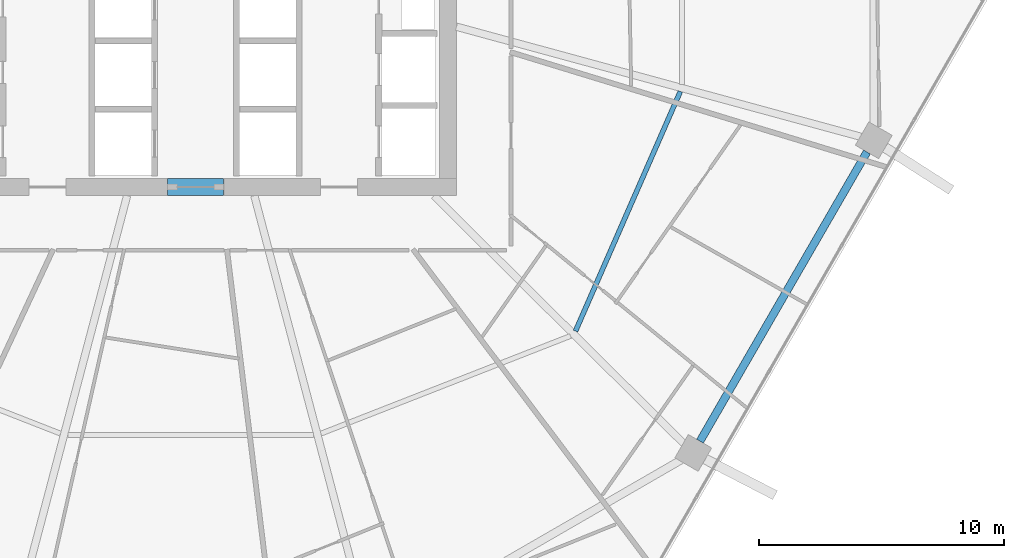
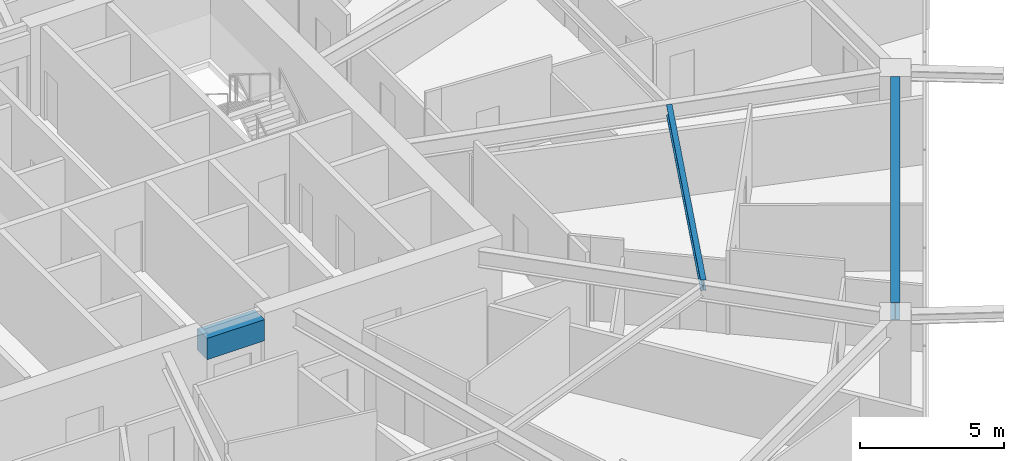
# One storey, part 10 of 32: 3 beams.
"""IFC4 building model written with IfcOpenShell, lengths in metres."""

import ifcopenshell
import ifcopenshell.guid

model = None  # the IFC model being written
_history = None  # IfcOwnerHistory: only IFC2X3 demands one
_inside = {}  # id of a spatial element -> (the spatial element, [elements in it])
_under = {}  # id of a project, library or spatial element -> (it, [spatial elements below it])
_declared = {}  # id of a project -> (the project, [libraries it declares])
_typed = {}  # id of a type object -> (the type object, [elements of that type])
_made_of = {}  # id of a material, layer set ... -> (it, [elements and type objects made of it])


def new_model(schema):
    """Start an empty IFC model of exactly this schema.

    Asked for "IFC4X3", IfcOpenShell would pick the latest addendum, in which some entities
    have other attributes; the version numbers below select the first issue.
    IFC2X3 requires an IfcOwnerHistory on every rooted entity: one is made here for all.
    """
    global model, _history
    if schema == "IFC4X3":
        model = ifcopenshell.file(schema_version=(4, 3, 0, 0))
    else:
        model = ifcopenshell.file(schema=schema)
    _inside.clear()
    _under.clear()
    _declared.clear()
    _typed.clear()
    _made_of.clear()
    _history = None
    if model.schema == "IFC2X3":
        org = make("IfcOrganization", Name="unknown")
        user = make(
            "IfcPersonAndOrganization",
            ThePerson=make("IfcPerson", FamilyName="unknown"),
            TheOrganization=org,
        )
        app = make(
            "IfcApplication",
            ApplicationDeveloper=org,
            Version="unknown",
            ApplicationFullName="unknown",
            ApplicationIdentifier="unknown",
        )
        _history = make(
            "IfcOwnerHistory",
            OwningUser=user,
            OwningApplication=app,
            ChangeAction="ADDED",
            CreationDate=0,
        )
    return model


def make(cls, **values):
    """One entity of the class cls with the attributes given. An attribute that is None is left unset."""
    return model.create_entity(
        cls, **{name: value for name, value in values.items() if value is not None}
    )


def rooted(cls, **values):
    """An entity with a GlobalId (a new one), such as an element, a storey or a relation."""
    return make(cls, GlobalId=ifcopenshell.guid.new(), OwnerHistory=_history, **values)


def si_unit(unit_type, name, prefix=None):
    """IfcSIUnit, for example si_unit("LENGTHUNIT", "METRE", prefix="MILLI")."""
    return make("IfcSIUnit", UnitType=unit_type, Prefix=prefix, Name=name)


def assignment(units):
    """IfcUnitAssignment: the units of a project."""
    return None if units is None else make("IfcUnitAssignment", Units=units)


def point(xyz):
    """IfcCartesianPoint."""
    return None if xyz is None else make("IfcCartesianPoint", Coordinates=xyz)


def direction(xyz):
    """IfcDirection."""
    return None if xyz is None else make("IfcDirection", DirectionRatios=xyz)


def frame(location, z_axis=None, x_axis=None):
    """IfcAxis2Placement3D, a coordinate frame: its origin and axes. An axis left out is left unset."""
    return make(
        "IfcAxis2Placement3D",
        Location=point(location),
        Axis=direction(z_axis),
        RefDirection=direction(x_axis),
    )


def frame_2d(location, x_axis=None):
    """IfcAxis2Placement2D, a coordinate frame in the plane: its origin and x axis."""
    return make(
        "IfcAxis2Placement2D", Location=point(location), RefDirection=direction(x_axis)
    )


def origin():
    """The frame at (0, 0, 0) with its axes left unset."""
    return frame((0.0, 0.0, 0.0))


def origin_2d():
    """The frame at (0, 0) in the plane with its x axis left unset."""
    return frame_2d((0.0, 0.0))


def place(relative_to, where):
    """IfcLocalPlacement: puts the frame where relative to a parent placement (None: the world)."""
    return make(
        "IfcLocalPlacement", PlacementRelTo=relative_to, RelativePlacement=where
    )


def context(
    kind, dimensions, precision=None, world=None, true_north=None, identifier=None
):
    """IfcGeometricRepresentationContext, for example the 3D "Model" context."""
    return make(
        "IfcGeometricRepresentationContext",
        ContextIdentifier=identifier,
        ContextType=kind,
        CoordinateSpaceDimension=dimensions,
        Precision=precision,
        WorldCoordinateSystem=world,
        TrueNorth=true_north,
    )


def subcontext(parent, identifier, kind, view, scale=None):
    """IfcGeometricRepresentationSubContext, for example "Body" below "Model"."""
    return make(
        "IfcGeometricRepresentationSubContext",
        ContextIdentifier=identifier,
        ContextType=kind,
        ParentContext=parent,
        TargetScale=scale,
        TargetView=view,
    )


def project(units=None, contexts=None):
    """IfcProject with its units and contexts."""
    return rooted(
        "IfcProject",
        Name="project",
        RepresentationContexts=contexts,
        UnitsInContext=assignment(units),
    )


def spatial(cls, under=None, at=None, **own):
    """A site, building, storey or space (cls), placed at a placement, below another one or the project."""
    s = rooted(cls, ObjectPlacement=at, **own)
    if under is not None:
        _under.setdefault(under.id(), (under, []))[1].append(s)
    return s


def profile(cls, at=None, kind="AREA", **sizes):
    """A parametric profile (cls). Its sizes go by their IFC names, for example OverallWidth=200.0."""
    return make(cls, ProfileType=kind, Position=at, **sizes)


def rectangle(**sizes):
    """IfcRectangleProfileDef."""
    return profile("IfcRectangleProfileDef", **sizes)


def i_section(**sizes):
    """IfcIShapeProfileDef."""
    return profile("IfcIShapeProfileDef", **sizes)


def extrude(swept, where, along, depth):
    """IfcExtrudedAreaSolid: the profile swept, set in the frame where, extruded along a direction by depth."""
    return make(
        "IfcExtrudedAreaSolid",
        SweptArea=swept,
        Position=where,
        ExtrudedDirection=direction(along),
        Depth=depth,
    )


def shape(context_of_items, identifier, shape_type, items):
    """IfcShapeRepresentation: the items that make up one representation, for example the "Body"."""
    return make(
        "IfcShapeRepresentation",
        ContextOfItems=context_of_items,
        RepresentationIdentifier=identifier,
        RepresentationType=shape_type,
        Items=items,
    )


def material(Name=None, Category=None):
    """IfcMaterial."""
    return make("IfcMaterial", Name=Name, Category=Category)


def material_profile(
    of_material, cross_section, Name=None, Category=None, Priority=None
):
    """IfcMaterialProfile: a cross section and its material."""
    return make(
        "IfcMaterialProfile",
        Name=Name,
        Material=of_material,
        Profile=cross_section,
        Priority=Priority,
        Category=Category,
    )


def profile_set(profiles, Name=None, composite=None):
    """IfcMaterialProfileSet."""
    return make(
        "IfcMaterialProfileSet",
        Name=Name,
        MaterialProfiles=profiles,
        CompositeProfile=composite,
    )


def made_of(thing, what):
    """Note that an element or type object is made of a material, layer set ...; save() writes the relation."""
    if what is not None:
        _made_of.setdefault(what.id(), (what, []))[1].append(thing)
    return thing


def type_object(cls, material=None, **own):
    """A type object (cls), such as IfcWallType, which elements share."""
    return made_of(rooted(cls, **own), material)


def element(
    cls,
    number,
    at=None,
    inside=None,
    cuts=None,
    type_object=None,
    material=None,
    context=None,
    identifier="Body",
    shape_type=None,
    held_by="IfcProductDefinitionShape",
    body=None,
    shapes=None,
    **own,
):
    """One element of the class cls, such as IfcWall. Its Tag is "e" and its number.

    at: its placement. inside: the storey or other place that contains it. cuts: it is an
    opening in that element (IfcRelVoidsElement). A single representation is given by context,
    identifier, shape_type and body (its items); several are given by shapes. held_by: the class
    of the entity that holds the representations. save() writes the other relations.
    """
    e = rooted(cls, Tag="e%d" % number, ObjectPlacement=at, **own)
    if body is not None:
        shapes = [shape(context, identifier, shape_type, body)]
    if shapes is not None:
        e.Representation = make(held_by, Representations=shapes)
    if inside is not None:
        _inside.setdefault(inside.id(), (inside, []))[1].append(e)
    if cuts is not None:
        rooted(
            "IfcRelVoidsElement", RelatingBuildingElement=cuts, RelatedOpeningElement=e
        )
    if type_object is not None:
        _typed.setdefault(type_object.id(), (type_object, []))[1].append(e)
    return made_of(e, material)


def aggregate(whole, parts):
    """IfcRelAggregates: a whole, such as a stair, and the parts it consists of."""
    return rooted("IfcRelAggregates", RelatingObject=whole, RelatedObjects=parts)


def save(model, path):
    """Write the relations noted so far, then the file.

    IfcRelAggregates (storeys below a building ...), IfcRelContainedInSpatialStructure (elements
    in a storey), IfcRelDefinesByType, IfcRelAssociatesMaterial and IfcRelDeclares: one each for
    every whole, place, type object, material and project.
    """
    for whole, parts in _under.values():
        aggregate(whole, parts)
    for where, things in _inside.values():
        rooted(
            "IfcRelContainedInSpatialStructure",
            RelatedElements=things,
            RelatingStructure=where,
        )
    for kind, things in _typed.values():
        rooted("IfcRelDefinesByType", RelatedObjects=things, RelatingType=kind)
    for what, things in _made_of.values():
        rooted("IfcRelAssociatesMaterial", RelatedObjects=things, RelatingMaterial=what)
    for by, libraries in _declared.values():
        rooted("IfcRelDeclares", RelatingContext=by, RelatedDefinitions=libraries)
    model.write(path)


model = new_model("IFC4")

# Units and contexts
model_context = context("Model", 3, precision=1e-05, world=origin(), true_north=direction((0.0, 1.0)))
body_context = subcontext(model_context, "Body", "Model", "MODEL_VIEW")
ifc_project = project(units=[si_unit("LENGTHUNIT", "METRE"), si_unit("AREAUNIT", "SQUARE_METRE"), si_unit("VOLUMEUNIT", "CUBIC_METRE"), si_unit("PLANEANGLEUNIT", "RADIAN"), si_unit("MASSUNIT", "GRAM", prefix="KILO")], contexts=[model_context])

# Site, building, storey
site_placement = place(None, origin())
site = spatial("IfcSite", under=ifc_project, at=site_placement, CompositionType="ELEMENT")
building_placement = place(site_placement, origin())
building = spatial("IfcBuilding", under=site, at=building_placement, Name="Zuhravey Tower", CompositionType="ELEMENT")
storey_placement = place(building_placement, frame((0.0, 0.0, 111.39990234375)))
storey = spatial("IfcBuildingStorey", under=building, at=storey_placement, Name="L27", CompositionType="ELEMENT", Elevation=111.39990234375)

# Beams
ifc_material_1 = material(Name="Concrete C60/75", Category="concrete")
ifc_material_profile_1 = material_profile(ifc_material_1, rectangle(XDim=0.699951171875, YDim=0.89990234375, at=origin_2d()), Name="RC-700x900")
ifc_profile_set_1 = profile_set([ifc_material_profile_1], Name="Concrete C60/75")
beam_type_1 = type_object("IfcBeamType", Name="Core Coupling Beam RC700x900", PredefinedType="LINTEL", material=ifc_profile_set_1)
beam_1_placement = place(storey_placement, frame((35.052001953125, 22.5, 3.10009765625), z_axis=(1.0, 0.0, 0.0), x_axis=(0.0, 1.0, 0.0)))
element("IfcBeam", 1, at=beam_1_placement, inside=storey, type_object=beam_type_1, Name="L27 CB1 BM-L27-CB-S", PredefinedType="LINTEL", context=body_context, shape_type="SweptSolid", body=[
    extrude(rectangle(XDim=0.699951171875, YDim=0.89990234375, at=origin_2d()), origin(), (0.0, 0.0, 1.0), 2.2958984375),
])
ifc_material_2 = material(Name="Steel SM355", Category="steel")
ifc_material_profile_2 = material_profile(ifc_material_2, i_section(OverallWidth=0.320068359375, OverallDepth=0.75, WebThickness=0.013916015625, FlangeThickness=0.02490234375, at=origin_2d()), Name="H-750x320x14x25")
ifc_profile_set_2 = profile_set([ifc_material_profile_2], Name="Steel SM355")
beam_type_2 = type_object("IfcBeamType", Name="Perimeter Ring Beam H750x320", PredefinedType="BEAM", material=ifc_profile_set_2)
beam_2_placement = place(storey_placement, frame((56.79541015625, 12.1220703125, 3.175048828125), z_axis=(0.500008177929, 0.866020682204, 0.0), x_axis=(-0.866020682204, 0.500008177929, 0.0)))
element("IfcBeam", 2, at=beam_2_placement, inside=storey, type_object=beam_type_2, Name="L27 PB1 BM-L27-PB-11", PredefinedType="BEAM", context=body_context, shape_type="SweptSolid", body=[
    extrude(i_section(OverallWidth=0.320068359375, OverallDepth=0.75, WebThickness=0.013916015625, FlangeThickness=0.02490234375, at=origin_2d()), origin(), (0.0, 0.0, 1.0), 13.634033203125),
])
ifc_material_profile_3 = material_profile(ifc_material_2, i_section(OverallWidth=0.199951171875, OverallDepth=0.449951171875, WebThickness=0.009033203125, FlangeThickness=0.013916015625, at=origin_2d()), Name="H-450x200x9x14")
ifc_profile_set_3 = profile_set([ifc_material_profile_3], Name="Steel SM355")
beam_type_3 = type_object("IfcBeamType", Name="Secondary Floor Joist H450x200", PredefinedType="JOIST", material=ifc_profile_set_3)
beam_3_placement = place(storey_placement, frame((51.71044921875, 16.615966796875, 3.3251953125), z_axis=(0.400786454617, 0.916171500209, 0.0), x_axis=(-0.916171500209, 0.400786454617, 0.0)))
element("IfcBeam", 3, at=beam_3_placement, inside=storey, type_object=beam_type_3, Name="L27 SJ1 BM-L27-SJ-11-1", PredefinedType="JOIST", context=body_context, shape_type="SweptSolid", body=[
    extrude(i_section(OverallWidth=0.199951171875, OverallDepth=0.449951171875, WebThickness=0.009033203125, FlangeThickness=0.013916015625, at=origin_2d()), origin(), (0.0, 0.0, 1.0), 10.6796875),
])

save(model, "model.ifc")
